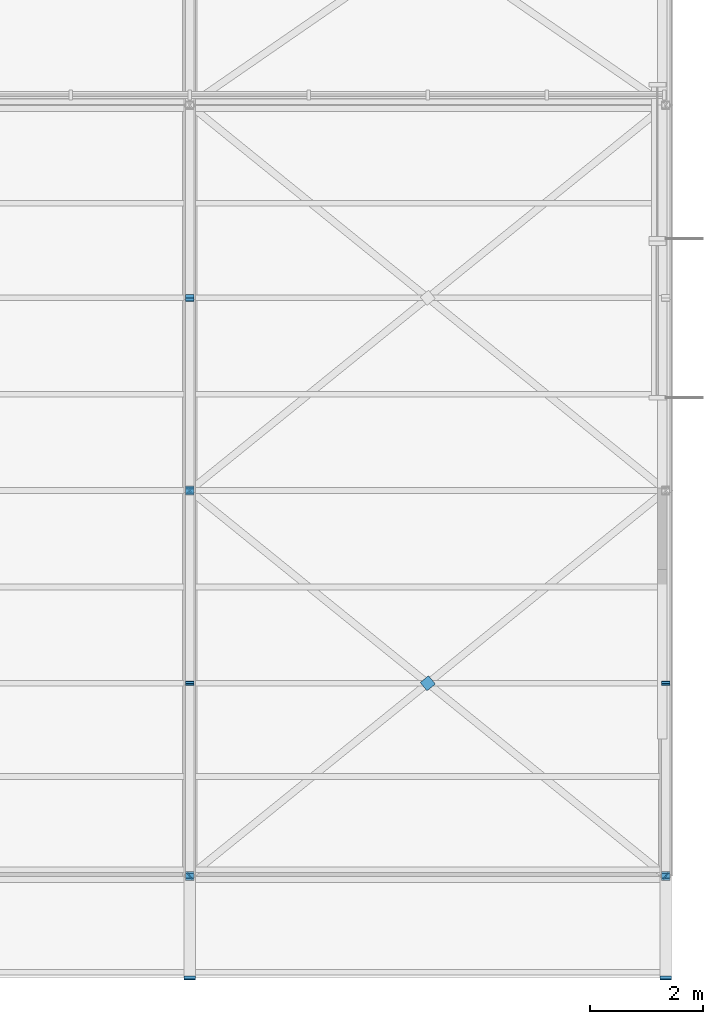
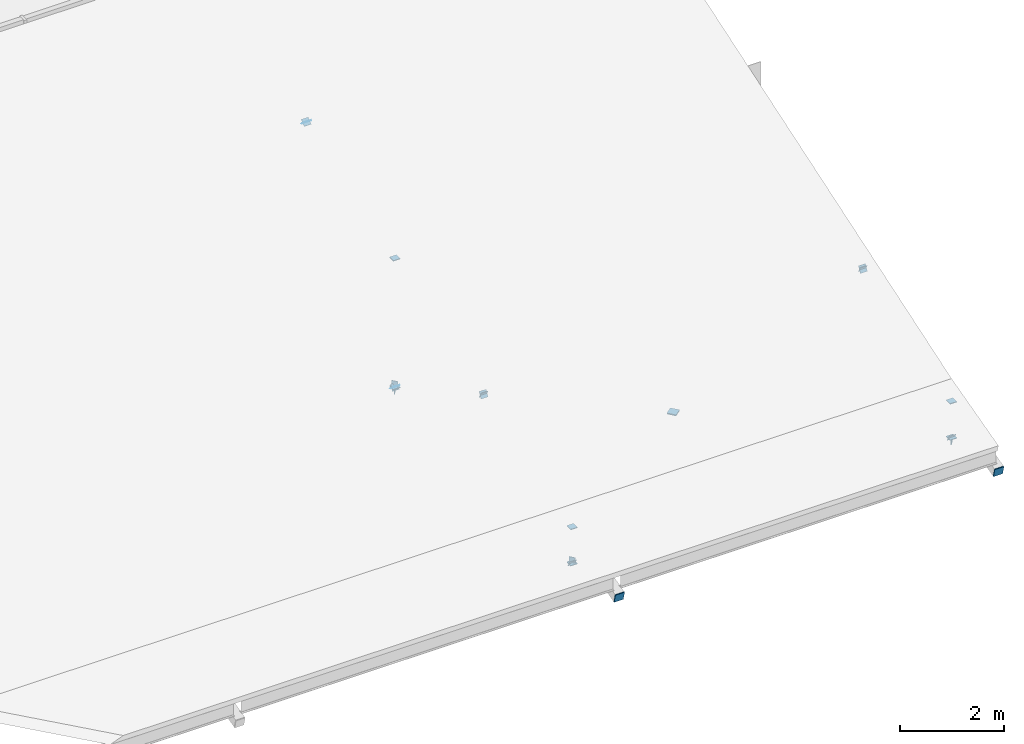
# One storey, part 68 of 89: 23 discrete accessories.
"""IFC4 building model written with IfcOpenShell, lengths in metres."""

import ifcopenshell
import ifcopenshell.guid

model = None  # the IFC model being written
_history = None  # IfcOwnerHistory: only IFC2X3 demands one
_inside = {}  # id of a spatial element -> (the spatial element, [elements in it])
_under = {}  # id of a project, library or spatial element -> (it, [spatial elements below it])
_declared = {}  # id of a project -> (the project, [libraries it declares])
_typed = {}  # id of a type object -> (the type object, [elements of that type])
_made_of = {}  # id of a material, layer set ... -> (it, [elements and type objects made of it])


def new_model(schema):
    """Start an empty IFC model of exactly this schema.

    Asked for "IFC4X3", IfcOpenShell would pick the latest addendum, in which some entities
    have other attributes; the version numbers below select the first issue.
    IFC2X3 requires an IfcOwnerHistory on every rooted entity: one is made here for all.
    """
    global model, _history
    if schema == "IFC4X3":
        model = ifcopenshell.file(schema_version=(4, 3, 0, 0))
    else:
        model = ifcopenshell.file(schema=schema)
    _inside.clear()
    _under.clear()
    _declared.clear()
    _typed.clear()
    _made_of.clear()
    _history = None
    if model.schema == "IFC2X3":
        org = make("IfcOrganization", Name="unknown")
        user = make(
            "IfcPersonAndOrganization",
            ThePerson=make("IfcPerson", FamilyName="unknown"),
            TheOrganization=org,
        )
        app = make(
            "IfcApplication",
            ApplicationDeveloper=org,
            Version="unknown",
            ApplicationFullName="unknown",
            ApplicationIdentifier="unknown",
        )
        _history = make(
            "IfcOwnerHistory",
            OwningUser=user,
            OwningApplication=app,
            ChangeAction="ADDED",
            CreationDate=0,
        )
    return model


def make(cls, **values):
    """One entity of the class cls with the attributes given. An attribute that is None is left unset."""
    return model.create_entity(
        cls, **{name: value for name, value in values.items() if value is not None}
    )


def rooted(cls, **values):
    """An entity with a GlobalId (a new one), such as an element, a storey or a relation."""
    return make(cls, GlobalId=ifcopenshell.guid.new(), OwnerHistory=_history, **values)


def si_unit(unit_type, name, prefix=None):
    """IfcSIUnit, for example si_unit("LENGTHUNIT", "METRE", prefix="MILLI")."""
    return make("IfcSIUnit", UnitType=unit_type, Prefix=prefix, Name=name)


def assignment(units):
    """IfcUnitAssignment: the units of a project."""
    return None if units is None else make("IfcUnitAssignment", Units=units)


def point(xyz):
    """IfcCartesianPoint."""
    return None if xyz is None else make("IfcCartesianPoint", Coordinates=xyz)


def direction(xyz):
    """IfcDirection."""
    return None if xyz is None else make("IfcDirection", DirectionRatios=xyz)


def frame(location, z_axis=None, x_axis=None):
    """IfcAxis2Placement3D, a coordinate frame: its origin and axes. An axis left out is left unset."""
    return make(
        "IfcAxis2Placement3D",
        Location=point(location),
        Axis=direction(z_axis),
        RefDirection=direction(x_axis),
    )


def frame_2d(location, x_axis=None):
    """IfcAxis2Placement2D, a coordinate frame in the plane: its origin and x axis."""
    return make(
        "IfcAxis2Placement2D", Location=point(location), RefDirection=direction(x_axis)
    )


def origin():
    """The frame at (0, 0, 0) with its axes left unset."""
    return frame((0.0, 0.0, 0.0))


def origin_2d():
    """The frame at (0, 0) in the plane with its x axis left unset."""
    return frame_2d((0.0, 0.0))


def place(relative_to, where):
    """IfcLocalPlacement: puts the frame where relative to a parent placement (None: the world)."""
    return make(
        "IfcLocalPlacement", PlacementRelTo=relative_to, RelativePlacement=where
    )


def context(
    kind, dimensions, precision=None, world=None, true_north=None, identifier=None
):
    """IfcGeometricRepresentationContext, for example the 3D "Model" context."""
    return make(
        "IfcGeometricRepresentationContext",
        ContextIdentifier=identifier,
        ContextType=kind,
        CoordinateSpaceDimension=dimensions,
        Precision=precision,
        WorldCoordinateSystem=world,
        TrueNorth=true_north,
    )


def subcontext(parent, identifier, kind, view, scale=None):
    """IfcGeometricRepresentationSubContext, for example "Body" below "Model"."""
    return make(
        "IfcGeometricRepresentationSubContext",
        ContextIdentifier=identifier,
        ContextType=kind,
        ParentContext=parent,
        TargetScale=scale,
        TargetView=view,
    )


def project(units=None, contexts=None):
    """IfcProject with its units and contexts."""
    return rooted(
        "IfcProject",
        Name="project",
        RepresentationContexts=contexts,
        UnitsInContext=assignment(units),
    )


def spatial(cls, under=None, at=None, **own):
    """A site, building, storey or space (cls), placed at a placement, below another one or the project."""
    s = rooted(cls, ObjectPlacement=at, **own)
    if under is not None:
        _under.setdefault(under.id(), (under, []))[1].append(s)
    return s


def profile(cls, at=None, kind="AREA", **sizes):
    """A parametric profile (cls). Its sizes go by their IFC names, for example OverallWidth=200.0."""
    return make(cls, ProfileType=kind, Position=at, **sizes)


def rectangle(**sizes):
    """IfcRectangleProfileDef."""
    return profile("IfcRectangleProfileDef", **sizes)


def extrude(swept, where, along, depth):
    """IfcExtrudedAreaSolid: the profile swept, set in the frame where, extruded along a direction by depth."""
    return make(
        "IfcExtrudedAreaSolid",
        SweptArea=swept,
        Position=where,
        ExtrudedDirection=direction(along),
        Depth=depth,
    )


def shape(context_of_items, identifier, shape_type, items):
    """IfcShapeRepresentation: the items that make up one representation, for example the "Body"."""
    return make(
        "IfcShapeRepresentation",
        ContextOfItems=context_of_items,
        RepresentationIdentifier=identifier,
        RepresentationType=shape_type,
        Items=items,
    )


def material(Name=None, Category=None):
    """IfcMaterial."""
    return make("IfcMaterial", Name=Name, Category=Category)


def made_of(thing, what):
    """Note that an element or type object is made of a material, layer set ...; save() writes the relation."""
    if what is not None:
        _made_of.setdefault(what.id(), (what, []))[1].append(thing)
    return thing


def element(
    cls,
    number,
    at=None,
    inside=None,
    cuts=None,
    type_object=None,
    material=None,
    context=None,
    identifier="Body",
    shape_type=None,
    held_by="IfcProductDefinitionShape",
    body=None,
    shapes=None,
    **own,
):
    """One element of the class cls, such as IfcWall. Its Tag is "e" and its number.

    at: its placement. inside: the storey or other place that contains it. cuts: it is an
    opening in that element (IfcRelVoidsElement). A single representation is given by context,
    identifier, shape_type and body (its items); several are given by shapes. held_by: the class
    of the entity that holds the representations. save() writes the other relations.
    """
    e = rooted(cls, Tag="e%d" % number, ObjectPlacement=at, **own)
    if body is not None:
        shapes = [shape(context, identifier, shape_type, body)]
    if shapes is not None:
        e.Representation = make(held_by, Representations=shapes)
    if inside is not None:
        _inside.setdefault(inside.id(), (inside, []))[1].append(e)
    if cuts is not None:
        rooted(
            "IfcRelVoidsElement", RelatingBuildingElement=cuts, RelatedOpeningElement=e
        )
    if type_object is not None:
        _typed.setdefault(type_object.id(), (type_object, []))[1].append(e)
    return made_of(e, material)


def aggregate(whole, parts):
    """IfcRelAggregates: a whole, such as a stair, and the parts it consists of."""
    return rooted("IfcRelAggregates", RelatingObject=whole, RelatedObjects=parts)


def save(model, path):
    """Write the relations noted so far, then the file.

    IfcRelAggregates (storeys below a building ...), IfcRelContainedInSpatialStructure (elements
    in a storey), IfcRelDefinesByType, IfcRelAssociatesMaterial and IfcRelDeclares: one each for
    every whole, place, type object, material and project.
    """
    for whole, parts in _under.values():
        aggregate(whole, parts)
    for where, things in _inside.values():
        rooted(
            "IfcRelContainedInSpatialStructure",
            RelatedElements=things,
            RelatingStructure=where,
        )
    for kind, things in _typed.values():
        rooted("IfcRelDefinesByType", RelatedObjects=things, RelatingType=kind)
    for what, things in _made_of.values():
        rooted("IfcRelAssociatesMaterial", RelatedObjects=things, RelatingMaterial=what)
    for by, libraries in _declared.values():
        rooted("IfcRelDeclares", RelatingContext=by, RelatedDefinitions=libraries)
    model.write(path)


model = new_model("IFC4")

# Units and contexts
model_context = context("Model", 3, precision=1e-05, world=origin(), true_north=direction((0.0, 1.0)))
body_context = subcontext(model_context, "Body", "Model", "MODEL_VIEW")
ifc_project = project(units=[si_unit("LENGTHUNIT", "METRE"), si_unit("AREAUNIT", "SQUARE_METRE"), si_unit("VOLUMEUNIT", "CUBIC_METRE"), si_unit("PLANEANGLEUNIT", "RADIAN"), si_unit("MASSUNIT", "GRAM", prefix="KILO")], contexts=[model_context])

# Site, building, storey
site_placement = place(None, origin())
site = spatial("IfcSite", under=ifc_project, at=site_placement, CompositionType="ELEMENT")
building_placement = place(site_placement, origin())
building = spatial("IfcBuilding", under=site, at=building_placement, Name="Hlaing Beacon Police Headquarters", CompositionType="ELEMENT")
storey_placement = place(building_placement, frame((0.0, 0.0, 9.89990234375)))
storey = spatial("IfcBuildingStorey", under=building, at=storey_placement, Name="L02", CompositionType="ELEMENT", Elevation=9.89990234375)

# Discrete accessories
ifc_material = material(Name="Steel ASTM A572 Grade 50", Category="steel")
for number, where, z_axis, x_axis, name in (
    (1, (126.0, 8.39990234375, -1.36474609375), (0.0, 0.0, -1.0), (1.0, 0.0, 0.0), "Gusset plate GP-623"),
    (2, (126.0, 8.39990234375, -0.53369140625), (0.0, 0.0, 1.0), (1.0, 0.0, 0.0), "Gusset plate GP-624"),
    (3, (126.0, 15.199951171875, -1.36474609375), (0.0, 0.0, -1.0), (1.0, 0.0, 0.0), "Gusset plate GP-625"),
    (4, (126.0, 15.199951171875, 1.630859375), (0.0, 0.0, 1.0), (1.0, 0.0, 0.0), "Gusset plate GP-626"),
):
    element("IfcDiscreteAccessory", number, at=place(storey_placement, frame(where, z_axis=z_axis, x_axis=x_axis)), inside=storey, material=ifc_material, Name=name, PredefinedType="BRACKET", context=body_context, shape_type="SweptSolid", body=[
        extrude(rectangle(XDim=0.15234375, YDim=0.15234375, at=origin_2d()), origin(), (0.0, 0.0, 1.0), 0.01611328125),
    ])
for number, where, z_axis, x_axis, name in (
    (5, (126.0, 8.405029296875, -1.369873046875), (0.0, -0.874402972299, -0.485200414298), (1.0, 0.0, 0.0), "Gusset plate GP-633"),
    (6, (126.0, 11.794677734375, 0.510986328125), (0.0, 0.874402972299, 0.485200414298), (-1.0, 0.0, 0.0), "Gusset plate GP-634"),
    (7, (126.0, 11.80517578125, 0.510986328125), (0.0, -0.874388190335, 0.485227052629), (1.0, 0.0, 0.0), "Gusset plate GP-635"),
    (8, (126.0, 15.19482421875, -1.369873046875), (0.0, 0.874388190335, -0.485227052629), (-1.0, 0.0, 0.0), "Gusset plate GP-636"),
    (9, (126.0, 15.203857421875, -1.3681640625), (0.0, -0.634976630923, -0.772531344465), (1.0, 0.0, 0.0), "Gusset plate GP-637"),
    (10, (126.0, 18.59619140625, 2.75927734375), (0.0, 0.634976630923, 0.772531344465), (-1.0, 0.0, 0.0), "Gusset plate GP-638"),
    (11, (126.0, 18.60400390625, 2.75927734375), (0.0, -0.634949419501, 0.772553709897), (1.0, 0.0, 0.0), "Gusset plate GP-639"),
):
    element("IfcDiscreteAccessory", number, at=place(storey_placement, frame(where, z_axis=z_axis, x_axis=x_axis)), inside=storey, material=ifc_material, Name=name, PredefinedType="BRACKET", context=body_context, shape_type="SweptSolid", body=[
        extrude(rectangle(XDim=0.15234375, YDim=0.15234375, at=origin_2d()), origin(), (0.0, 0.0, 1.0), 0.011962890625),
    ])
for number, where, z_axis, x_axis, name in (
    (12, (134.39990234375, 8.39990234375, -1.36474609375), (0.0, 0.0, -1.0), (1.0, 0.0, 0.0), "Gusset plate GP-649"),
    (13, (134.39990234375, 8.39990234375, -0.53369140625), (0.0, 0.0, 1.0), (1.0, 0.0, 0.0), "Gusset plate GP-650"),
):
    element("IfcDiscreteAccessory", number, at=place(storey_placement, frame(where, z_axis=z_axis, x_axis=x_axis)), inside=storey, material=ifc_material, Name=name, PredefinedType="BRACKET", context=body_context, shape_type="SweptSolid", body=[
        extrude(rectangle(XDim=0.15234375, YDim=0.15234375, at=origin_2d()), origin(), (0.0, 0.0, 1.0), 0.01611328125),
    ])
for number, where, z_axis, x_axis, name in (
    (14, (134.39990234375, 8.405029296875, -1.369873046875), (0.0, -0.874402972299, -0.485200414298), (1.0, 0.0, 0.0), "Gusset plate GP-659"),
    (15, (134.39990234375, 11.794677734375, 0.510986328125), (0.0, 0.874402972299, 0.485200414298), (-1.0, 0.0, 0.0), "Gusset plate GP-660"),
    (16, (134.39990234375, 11.80517578125, 0.510986328125), (0.0, -0.874388190335, 0.485227052629), (1.0, 0.0, 0.0), "Gusset plate GP-661"),
):
    element("IfcDiscreteAccessory", number, at=place(storey_placement, frame(where, z_axis=z_axis, x_axis=x_axis)), inside=storey, material=ifc_material, Name=name, PredefinedType="BRACKET", context=body_context, shape_type="SweptSolid", body=[
        extrude(rectangle(XDim=0.15234375, YDim=0.15234375, at=origin_2d()), origin(), (0.0, 0.0, 1.0), 0.011962890625),
    ])
for number, where, z_axis, x_axis, name in (
    (17, (126.004638671875, 8.403564453125, -1.29931640625), (-0.777239083865, -0.629205377053, 0.0), (0.629205377053, -0.777239083865, 0.0), "Gusset plate GP-691"),
    (18, (134.395263671875, 8.403564453125, -1.4462890625), (0.777239083865, -0.629205377053, 0.0), (0.629205377053, 0.777239083865, 0.0), "Gusset plate GP-693"),
    (19, (126.004638671875, 15.1962890625, -1.4462890625), (-0.777239083865, 0.629205377053, 0.0), (-0.629205377053, -0.777239083865, 0.0), "Gusset plate GP-694"),
    (20, (126.004638671875, 15.20361328125, -1.29931640625), (-0.777239083865, -0.629205377053, 0.0), (0.629205377053, -0.777239083865, 0.0), "Gusset plate GP-695"),
):
    element("IfcDiscreteAccessory", number, at=place(storey_placement, frame(where, z_axis=z_axis, x_axis=x_axis)), inside=storey, material=ifc_material, Name=name, PredefinedType="BRACKET", context=body_context, shape_type="SweptSolid", body=[
        extrude(rectangle(XDim=0.126953125, YDim=0.126953125, at=origin_2d()), origin(), (0.0, 0.0, 1.0), 0.011962890625),
    ])
discrete_accessory_placement = place(storey_placement, frame((130.199951171875, 11.800048828125, -1.385986328125), z_axis=(0.0, 0.0, 1.0), x_axis=(0.777244870707, 0.629198228668, 0.0)))
element("IfcDiscreteAccessory", 21, at=discrete_accessory_placement, inside=storey, material=ifc_material, Name="Node plate NP-021", PredefinedType="BRACKET", context=body_context, shape_type="SweptSolid", body=[
    extrude(rectangle(XDim=0.1904296875, YDim=0.1904296875, at=origin_2d()), origin(), (0.0, 0.0, 1.0), 0.02587890625),
])
for number, where, z_axis, x_axis, name in (
    (22, (126.0, 6.60986328125, -1.07763671875), (0.0, -0.966977619685, -0.254861301553), (1.0, 0.0, 0.0), "Chord end plate CE-014"),
    (23, (134.39990234375, 6.60986328125, -1.07763671875), (0.0, -0.966977619685, -0.254861301553), (1.0, 0.0, 0.0), "Chord end plate CE-015"),
):
    element("IfcDiscreteAccessory", number, at=place(storey_placement, frame(where, z_axis=z_axis, x_axis=x_axis)), inside=storey, material=ifc_material, Name=name, PredefinedType="BRACKET", context=body_context, shape_type="SweptSolid", body=[
        extrude(rectangle(XDim=0.203125, YDim=0.203125, at=origin_2d()), origin(), (0.0, 0.0, 1.0), 0.02001953125),
    ])

save(model, "model.ifc")
